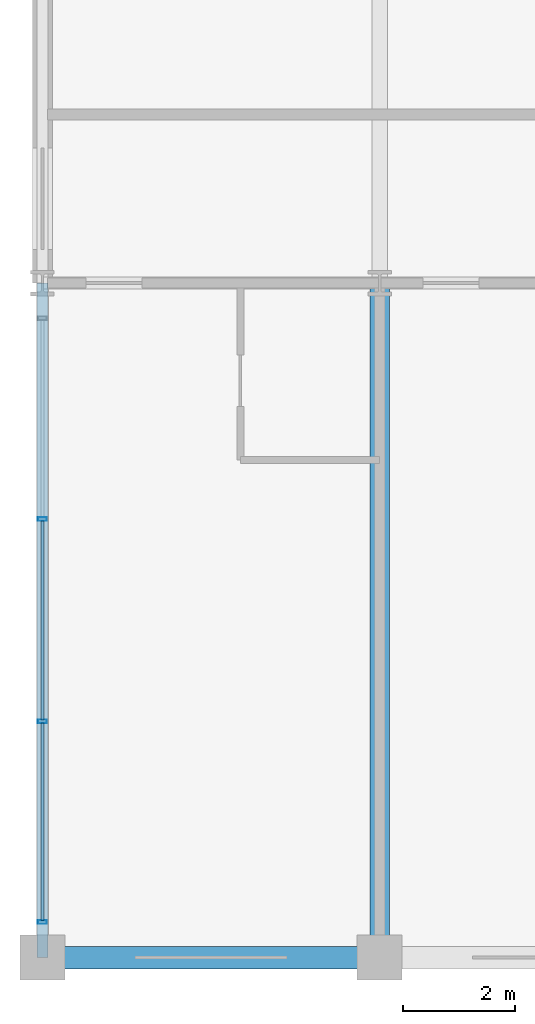
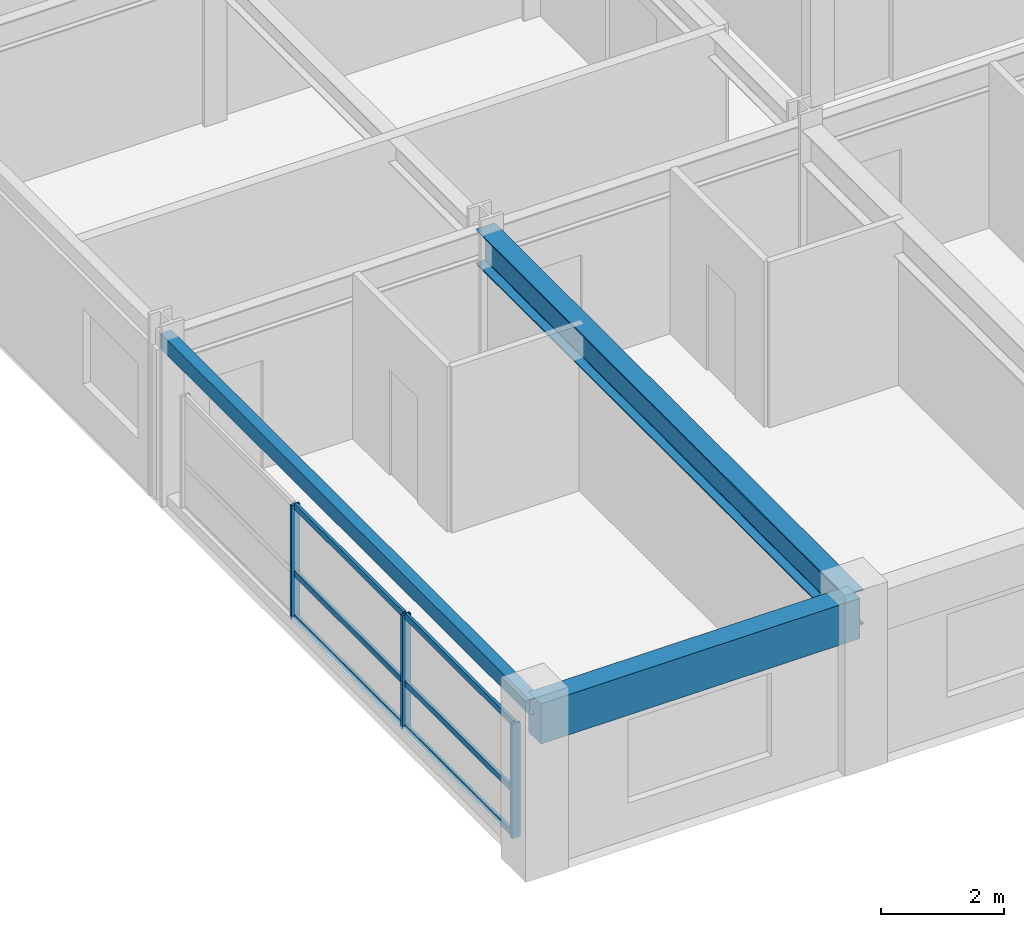
# One storey, part 2 of 26: 9 members, 3 beams, 1 element without a shape of its own.
"""IFC4 building model written with IfcOpenShell, lengths in metres."""

import ifcopenshell
import ifcopenshell.guid

model = None  # the IFC model being written
_history = None  # IfcOwnerHistory: only IFC2X3 demands one
_inside = {}  # id of a spatial element -> (the spatial element, [elements in it])
_under = {}  # id of a project, library or spatial element -> (it, [spatial elements below it])
_declared = {}  # id of a project -> (the project, [libraries it declares])
_typed = {}  # id of a type object -> (the type object, [elements of that type])
_made_of = {}  # id of a material, layer set ... -> (it, [elements and type objects made of it])


def new_model(schema):
    """Start an empty IFC model of exactly this schema.

    Asked for "IFC4X3", IfcOpenShell would pick the latest addendum, in which some entities
    have other attributes; the version numbers below select the first issue.
    IFC2X3 requires an IfcOwnerHistory on every rooted entity: one is made here for all.
    """
    global model, _history
    if schema == "IFC4X3":
        model = ifcopenshell.file(schema_version=(4, 3, 0, 0))
    else:
        model = ifcopenshell.file(schema=schema)
    _inside.clear()
    _under.clear()
    _declared.clear()
    _typed.clear()
    _made_of.clear()
    _history = None
    if model.schema == "IFC2X3":
        org = make("IfcOrganization", Name="unknown")
        user = make(
            "IfcPersonAndOrganization",
            ThePerson=make("IfcPerson", FamilyName="unknown"),
            TheOrganization=org,
        )
        app = make(
            "IfcApplication",
            ApplicationDeveloper=org,
            Version="unknown",
            ApplicationFullName="unknown",
            ApplicationIdentifier="unknown",
        )
        _history = make(
            "IfcOwnerHistory",
            OwningUser=user,
            OwningApplication=app,
            ChangeAction="ADDED",
            CreationDate=0,
        )
    return model


def make(cls, **values):
    """One entity of the class cls with the attributes given. An attribute that is None is left unset."""
    return model.create_entity(
        cls, **{name: value for name, value in values.items() if value is not None}
    )


def rooted(cls, **values):
    """An entity with a GlobalId (a new one), such as an element, a storey or a relation."""
    return make(cls, GlobalId=ifcopenshell.guid.new(), OwnerHistory=_history, **values)


def si_unit(unit_type, name, prefix=None):
    """IfcSIUnit, for example si_unit("LENGTHUNIT", "METRE", prefix="MILLI")."""
    return make("IfcSIUnit", UnitType=unit_type, Prefix=prefix, Name=name)


def assignment(units):
    """IfcUnitAssignment: the units of a project."""
    return None if units is None else make("IfcUnitAssignment", Units=units)


def point(xyz):
    """IfcCartesianPoint."""
    return None if xyz is None else make("IfcCartesianPoint", Coordinates=xyz)


def direction(xyz):
    """IfcDirection."""
    return None if xyz is None else make("IfcDirection", DirectionRatios=xyz)


def frame(location, z_axis=None, x_axis=None):
    """IfcAxis2Placement3D, a coordinate frame: its origin and axes. An axis left out is left unset."""
    return make(
        "IfcAxis2Placement3D",
        Location=point(location),
        Axis=direction(z_axis),
        RefDirection=direction(x_axis),
    )


def frame_2d(location, x_axis=None):
    """IfcAxis2Placement2D, a coordinate frame in the plane: its origin and x axis."""
    return make(
        "IfcAxis2Placement2D", Location=point(location), RefDirection=direction(x_axis)
    )


def origin():
    """The frame at (0, 0, 0) with its axes left unset."""
    return frame((0.0, 0.0, 0.0))


def origin_2d():
    """The frame at (0, 0) in the plane with its x axis left unset."""
    return frame_2d((0.0, 0.0))


def place(relative_to, where):
    """IfcLocalPlacement: puts the frame where relative to a parent placement (None: the world)."""
    return make(
        "IfcLocalPlacement", PlacementRelTo=relative_to, RelativePlacement=where
    )


def context(
    kind, dimensions, precision=None, world=None, true_north=None, identifier=None
):
    """IfcGeometricRepresentationContext, for example the 3D "Model" context."""
    return make(
        "IfcGeometricRepresentationContext",
        ContextIdentifier=identifier,
        ContextType=kind,
        CoordinateSpaceDimension=dimensions,
        Precision=precision,
        WorldCoordinateSystem=world,
        TrueNorth=true_north,
    )


def subcontext(parent, identifier, kind, view, scale=None):
    """IfcGeometricRepresentationSubContext, for example "Body" below "Model"."""
    return make(
        "IfcGeometricRepresentationSubContext",
        ContextIdentifier=identifier,
        ContextType=kind,
        ParentContext=parent,
        TargetScale=scale,
        TargetView=view,
    )


def project(units=None, contexts=None):
    """IfcProject with its units and contexts."""
    return rooted(
        "IfcProject",
        Name="project",
        RepresentationContexts=contexts,
        UnitsInContext=assignment(units),
    )


def spatial(cls, under=None, at=None, **own):
    """A site, building, storey or space (cls), placed at a placement, below another one or the project."""
    s = rooted(cls, ObjectPlacement=at, **own)
    if under is not None:
        _under.setdefault(under.id(), (under, []))[1].append(s)
    return s


def profile(cls, at=None, kind="AREA", **sizes):
    """A parametric profile (cls). Its sizes go by their IFC names, for example OverallWidth=200.0."""
    return make(cls, ProfileType=kind, Position=at, **sizes)


def rectangle(**sizes):
    """IfcRectangleProfileDef."""
    return profile("IfcRectangleProfileDef", **sizes)


def hollow_rectangle(**sizes):
    """IfcRectangleHollowProfileDef."""
    return profile("IfcRectangleHollowProfileDef", **sizes)


def i_section(**sizes):
    """IfcIShapeProfileDef."""
    return profile("IfcIShapeProfileDef", **sizes)


def extrude(swept, where, along, depth):
    """IfcExtrudedAreaSolid: the profile swept, set in the frame where, extruded along a direction by depth."""
    return make(
        "IfcExtrudedAreaSolid",
        SweptArea=swept,
        Position=where,
        ExtrudedDirection=direction(along),
        Depth=depth,
    )


def shape(context_of_items, identifier, shape_type, items):
    """IfcShapeRepresentation: the items that make up one representation, for example the "Body"."""
    return make(
        "IfcShapeRepresentation",
        ContextOfItems=context_of_items,
        RepresentationIdentifier=identifier,
        RepresentationType=shape_type,
        Items=items,
    )


def material(Name=None, Category=None):
    """IfcMaterial."""
    return make("IfcMaterial", Name=Name, Category=Category)


def material_profile(
    of_material, cross_section, Name=None, Category=None, Priority=None
):
    """IfcMaterialProfile: a cross section and its material."""
    return make(
        "IfcMaterialProfile",
        Name=Name,
        Material=of_material,
        Profile=cross_section,
        Priority=Priority,
        Category=Category,
    )


def profile_set(profiles, Name=None, composite=None):
    """IfcMaterialProfileSet."""
    return make(
        "IfcMaterialProfileSet",
        Name=Name,
        MaterialProfiles=profiles,
        CompositeProfile=composite,
    )


def made_of(thing, what):
    """Note that an element or type object is made of a material, layer set ...; save() writes the relation."""
    if what is not None:
        _made_of.setdefault(what.id(), (what, []))[1].append(thing)
    return thing


def type_object(cls, material=None, **own):
    """A type object (cls), such as IfcWallType, which elements share."""
    return made_of(rooted(cls, **own), material)


def element(
    cls,
    number,
    at=None,
    inside=None,
    cuts=None,
    type_object=None,
    material=None,
    context=None,
    identifier="Body",
    shape_type=None,
    held_by="IfcProductDefinitionShape",
    body=None,
    shapes=None,
    **own,
):
    """One element of the class cls, such as IfcWall. Its Tag is "e" and its number.

    at: its placement. inside: the storey or other place that contains it. cuts: it is an
    opening in that element (IfcRelVoidsElement). A single representation is given by context,
    identifier, shape_type and body (its items); several are given by shapes. held_by: the class
    of the entity that holds the representations. save() writes the other relations.
    """
    e = rooted(cls, Tag="e%d" % number, ObjectPlacement=at, **own)
    if body is not None:
        shapes = [shape(context, identifier, shape_type, body)]
    if shapes is not None:
        e.Representation = make(held_by, Representations=shapes)
    if inside is not None:
        _inside.setdefault(inside.id(), (inside, []))[1].append(e)
    if cuts is not None:
        rooted(
            "IfcRelVoidsElement", RelatingBuildingElement=cuts, RelatedOpeningElement=e
        )
    if type_object is not None:
        _typed.setdefault(type_object.id(), (type_object, []))[1].append(e)
    return made_of(e, material)


def aggregate(whole, parts):
    """IfcRelAggregates: a whole, such as a stair, and the parts it consists of."""
    return rooted("IfcRelAggregates", RelatingObject=whole, RelatedObjects=parts)


def save(model, path):
    """Write the relations noted so far, then the file.

    IfcRelAggregates (storeys below a building ...), IfcRelContainedInSpatialStructure (elements
    in a storey), IfcRelDefinesByType, IfcRelAssociatesMaterial and IfcRelDeclares: one each for
    every whole, place, type object, material and project.
    """
    for whole, parts in _under.values():
        aggregate(whole, parts)
    for where, things in _inside.values():
        rooted(
            "IfcRelContainedInSpatialStructure",
            RelatedElements=things,
            RelatingStructure=where,
        )
    for kind, things in _typed.values():
        rooted("IfcRelDefinesByType", RelatedObjects=things, RelatingType=kind)
    for what, things in _made_of.values():
        rooted("IfcRelAssociatesMaterial", RelatedObjects=things, RelatingMaterial=what)
    for by, libraries in _declared.values():
        rooted("IfcRelDeclares", RelatingContext=by, RelatedDefinitions=libraries)
    model.write(path)


model = new_model("IFC4")

# Units and contexts
model_context = context("Model", 3, precision=1e-05, world=origin(), true_north=direction((0.0, 1.0)))
body_context = subcontext(model_context, "Body", "Model", "MODEL_VIEW")
ifc_project = project(units=[si_unit("LENGTHUNIT", "METRE"), si_unit("AREAUNIT", "SQUARE_METRE"), si_unit("VOLUMEUNIT", "CUBIC_METRE"), si_unit("PLANEANGLEUNIT", "RADIAN"), si_unit("MASSUNIT", "GRAM", prefix="KILO")], contexts=[model_context])

# Site, building, storey
site_placement = place(None, origin())
site = spatial("IfcSite", under=ifc_project, at=site_placement, CompositionType="ELEMENT")
building_placement = place(site_placement, origin())
building = spatial("IfcBuilding", under=site, at=building_placement, Name="Kaldorvane Square Convention Centre", CompositionType="ELEMENT")
storey_placement = place(building_placement, frame((0.0, 0.0, 42.0)))
storey = spatial("IfcBuildingStorey", under=building, at=storey_placement, Name="L09", CompositionType="ELEMENT", Elevation=42.0)

# Beams
ifc_material_1 = material(Name="Steel ASTM A992 Gr. 50", Category="steel")
ifc_material_profile_1 = material_profile(ifc_material_1, i_section(OverallWidth=0.354705810546875, OverallDepth=0.69549560546875, WebThickness=0.0153961181640625, FlangeThickness=0.0251007080078125, FilletRadius=0.01519775390625, at=origin_2d()), Name="W27X146")
ifc_profile_set_1 = profile_set([ifc_material_profile_1], Name="Steel ASTM A992 Gr. 50")
beam_type_1 = type_object("IfcBeamType", Name="BM-GR-W27X146", PredefinedType="BEAM", material=ifc_profile_set_1)
beam_1_placement = place(storey_placement, frame((30.0, 84.0, 2.93829345703125), z_axis=(0.0, 1.0, 0.0), x_axis=(-1.0, 0.0, 0.0)))
element("IfcBeam", 1, at=beam_1_placement, inside=storey, type_object=beam_type_1, Name="Transverse Girder (L09)", PredefinedType="BEAM", context=body_context, shape_type="SweptSolid", body=[
    extrude(i_section(OverallWidth=0.354705810546875, OverallDepth=0.69549560546875, WebThickness=0.0153961181640625, FlangeThickness=0.0251007080078125, FilletRadius=0.01519775390625, at=origin_2d()), origin(), (0.0, 0.0, 1.0), 12.0),
])
ifc_material_2 = material(Name="Steel ASTM A500 Gr. C", Category="steel")
ifc_material_profile_2 = material_profile(ifc_material_2, hollow_rectangle(XDim=0.2032012939453125, YDim=0.3047943115234375, WallThickness=0.0088958740234375, at=origin_2d()), Name="HSS12X8X3/8")
ifc_profile_set_2 = profile_set([ifc_material_profile_2], Name="Steel ASTM A500 Gr. C")
beam_type_2 = type_object("IfcBeamType", Name="BM-SP-HSS12", PredefinedType="SPANDREL", material=ifc_profile_set_2)
beam_2_placement = place(storey_placement, frame((24.0, 84.0, 3.13360595703125), z_axis=(0.0, 1.0, 0.0), x_axis=(-1.0, 0.0, 0.0)))
element("IfcBeam", 2, at=beam_2_placement, inside=storey, type_object=beam_type_2, Name="End Spandrel (L09)", PredefinedType="SPANDREL", context=body_context, shape_type="SweptSolid", body=[
    extrude(hollow_rectangle(XDim=0.2032012939453125, YDim=0.3047943115234375, WallThickness=0.0088958740234375, at=origin_2d()), origin(), (0.0, 0.0, 1.0), 12.0),
])
ifc_material_3 = material(Name="Concrete f'c = 42 MPa (Normalweight)", Category="concrete")
ifc_material_profile_3 = material_profile(ifc_material_3, rectangle(XDim=0.399993896484375, YDim=0.8000030517578125, at=origin_2d()), Name="RCSP800X400")
ifc_profile_set_3 = profile_set([ifc_material_profile_3], Name="Concrete f'c = 42 MPa (Normalweight)")
beam_type_3 = type_object("IfcBeamType", Name="BM-SP-RC800", PredefinedType="SPANDREL", material=ifc_profile_set_3)
beam_3_placement = place(storey_placement, frame((24.0, 84.0, 2.8860015869140625), z_axis=(1.0, 0.0, 0.0), x_axis=(0.0, 1.0, 0.0)))
element("IfcBeam", 3, at=beam_3_placement, inside=storey, type_object=beam_type_3, Name="Perimeter Spandrel (L09)", PredefinedType="SPANDREL", context=body_context, shape_type="SweptSolid", body=[
    extrude(rectangle(XDim=0.399993896484375, YDim=0.8000030517578125, at=origin_2d()), origin(), (0.0, 0.0, 1.0), 6.0),
])

# Curtain wall, members
ifc_material_4 = material(Name="Anodized Aluminum and Low-E Insulated Glazing", Category="aluminium")
curtain_wall_type = type_object("IfcCurtainWallType", Name="CW-UNI-HTL-B", PredefinedType="USERDEFINED", material=ifc_material_4)
curtain_wall_placement = place(storey_placement, origin())
curtain_wall = element("IfcCurtainWall", 4, at=curtain_wall_placement, inside=storey, type_object=curtain_wall_type, Name="Curtain Wall CW-11 (L09)", ObjectType="UNITISED GLAZING", PredefinedType="USERDEFINED")
ifc_material_profile_4 = material_profile(ifc_material_4, hollow_rectangle(XDim=0.05999755859375, YDim=0.160003662109375, WallThickness=0.003204345703125, at=origin_2d()), Name="CWM-160X60")
ifc_profile_set_4 = profile_set([ifc_material_profile_4], Name="Anodized Aluminum and Low-E Insulated Glazing")
member_type_1 = type_object("IfcMemberType", Name="CW-MUL-160", PredefinedType="MULLION", material=ifc_profile_set_4)
member_1_placement = place(storey_placement, frame((24.0, 91.80000305175781, 0.149993896484375), z_axis=(0.0, 0.0, 1.0), x_axis=(0.0, -1.0, 0.0)))
member_1 = element("IfcMember", 5, at=member_1_placement, type_object=member_type_1, Name="CW-11 mullion 2", PredefinedType="MULLION", context=body_context, shape_type="SweptSolid", body=[
    extrude(hollow_rectangle(XDim=0.05999755859375, YDim=0.160003662109375, WallThickness=0.003204345703125, at=origin_2d()), origin(), (0.0, 0.0, 1.0), 2.260009765625),
])
member_2_placement = place(storey_placement, frame((24.0, 88.19999694824219, 0.149993896484375), z_axis=(0.0, 0.0, 1.0), x_axis=(0.0, -1.0, 0.0)))
member_2 = element("IfcMember", 6, at=member_2_placement, type_object=member_type_1, Name="CW-11 mullion 3", PredefinedType="MULLION", context=body_context, shape_type="SweptSolid", body=[
    extrude(hollow_rectangle(XDim=0.05999755859375, YDim=0.160003662109375, WallThickness=0.003204345703125, at=origin_2d()), origin(), (0.0, 0.0, 1.0), 2.260009765625),
])
member_3_placement = place(storey_placement, frame((24.0, 84.6300048828125, 0.149993896484375), z_axis=(0.0, 0.0, 1.0), x_axis=(0.0, -1.0, 0.0)))
member_3 = element("IfcMember", 7, at=member_3_placement, type_object=member_type_1, Name="CW-11 mullion 4", PredefinedType="MULLION", context=body_context, shape_type="SweptSolid", body=[
    extrude(hollow_rectangle(XDim=0.05999755859375, YDim=0.160003662109375, WallThickness=0.003204345703125, at=origin_2d()), origin(), (0.0, 0.0, 1.0), 2.260009765625),
])
ifc_material_profile_5 = material_profile(ifc_material_4, hollow_rectangle(XDim=0.05499267578125, YDim=0.1199951171875, WallThickness=0.0030059814453125, at=origin_2d()), Name="CWT-120X55")
ifc_profile_set_5 = profile_set([ifc_material_profile_5], Name="Anodized Aluminum and Low-E Insulated Glazing")
member_type_2 = type_object("IfcMemberType", Name="CW-TRN-120", PredefinedType="USERDEFINED", material=ifc_profile_set_5)
member_4_placement = place(storey_placement, frame((24.0, 91.77000427246094, 0.1775054931640625), z_axis=(0.0, -1.0, 0.0), x_axis=(1.0, 0.0, 0.0)))
member_4 = element("IfcMember", 8, at=member_4_placement, type_object=member_type_2, Name="CW-11 transom 2.1", ObjectType="TRANSOM", PredefinedType="USERDEFINED", context=body_context, shape_type="SweptSolid", body=[
    extrude(hollow_rectangle(XDim=0.05499267578125, YDim=0.1199951171875, WallThickness=0.0030059814453125, at=origin_2d()), origin(), (0.0, 0.0, 1.0), 3.540008544921875),
])
member_5_placement = place(storey_placement, frame((24.0, 91.77000427246094, 1.0500030517578125), z_axis=(0.0, -1.0, 0.0), x_axis=(1.0, 0.0, 0.0)))
member_5 = element("IfcMember", 9, at=member_5_placement, type_object=member_type_2, Name="CW-11 transom 2.2", ObjectType="TRANSOM", PredefinedType="USERDEFINED", context=body_context, shape_type="SweptSolid", body=[
    extrude(hollow_rectangle(XDim=0.05499267578125, YDim=0.1199951171875, WallThickness=0.0030059814453125, at=origin_2d()), origin(), (0.0, 0.0, 1.0), 3.540008544921875),
])
member_6_placement = place(storey_placement, frame((24.0, 91.77000427246094, 2.38250732421875), z_axis=(0.0, -1.0, 0.0), x_axis=(1.0, 0.0, 0.0)))
member_6 = element("IfcMember", 10, at=member_6_placement, type_object=member_type_2, Name="CW-11 transom 2.3", ObjectType="TRANSOM", PredefinedType="USERDEFINED", context=body_context, shape_type="SweptSolid", body=[
    extrude(hollow_rectangle(XDim=0.05499267578125, YDim=0.1199951171875, WallThickness=0.0030059814453125, at=origin_2d()), origin(), (0.0, 0.0, 1.0), 3.540008544921875),
])
member_7_placement = place(storey_placement, frame((24.0, 88.16999816894531, 0.1775054931640625), z_axis=(0.0, -1.0, 0.0), x_axis=(1.0, 0.0, 0.0)))
member_7 = element("IfcMember", 11, at=member_7_placement, type_object=member_type_2, Name="CW-11 transom 3.1", ObjectType="TRANSOM", PredefinedType="USERDEFINED", context=body_context, shape_type="SweptSolid", body=[
    extrude(hollow_rectangle(XDim=0.05499267578125, YDim=0.1199951171875, WallThickness=0.0030059814453125, at=origin_2d()), origin(), (0.0, 0.0, 1.0), 3.5099945068359375),
])
member_8_placement = place(storey_placement, frame((24.0, 88.16999816894531, 1.0500030517578125), z_axis=(0.0, -1.0, 0.0), x_axis=(1.0, 0.0, 0.0)))
member_8 = element("IfcMember", 12, at=member_8_placement, type_object=member_type_2, Name="CW-11 transom 3.2", ObjectType="TRANSOM", PredefinedType="USERDEFINED", context=body_context, shape_type="SweptSolid", body=[
    extrude(hollow_rectangle(XDim=0.05499267578125, YDim=0.1199951171875, WallThickness=0.0030059814453125, at=origin_2d()), origin(), (0.0, 0.0, 1.0), 3.5099945068359375),
])
member_9_placement = place(storey_placement, frame((24.0, 88.16999816894531, 2.38250732421875), z_axis=(0.0, -1.0, 0.0), x_axis=(1.0, 0.0, 0.0)))
member_9 = element("IfcMember", 13, at=member_9_placement, type_object=member_type_2, Name="CW-11 transom 3.3", ObjectType="TRANSOM", PredefinedType="USERDEFINED", context=body_context, shape_type="SweptSolid", body=[
    extrude(hollow_rectangle(XDim=0.05499267578125, YDim=0.1199951171875, WallThickness=0.0030059814453125, at=origin_2d()), origin(), (0.0, 0.0, 1.0), 3.5099945068359375),
])
aggregate(curtain_wall, [member_1, member_2, member_3, member_4, member_5, member_6, member_7, member_8, member_9])

save(model, "model.ifc")
